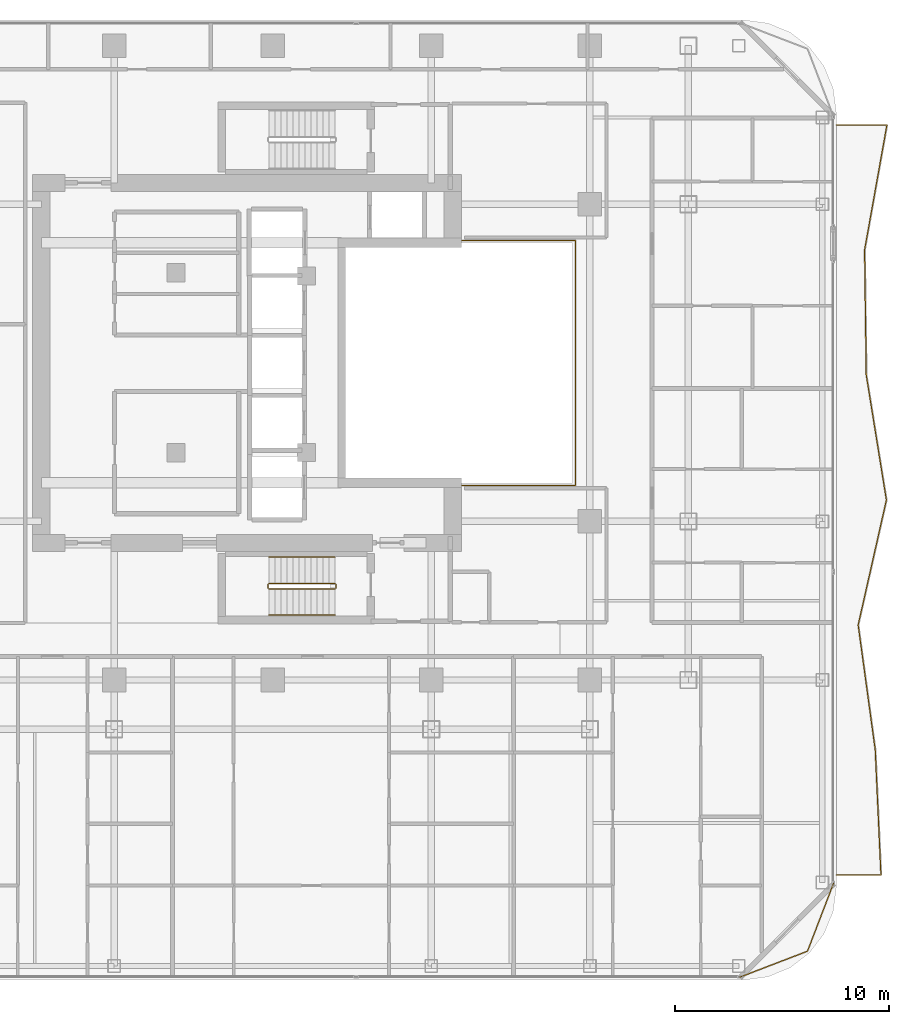
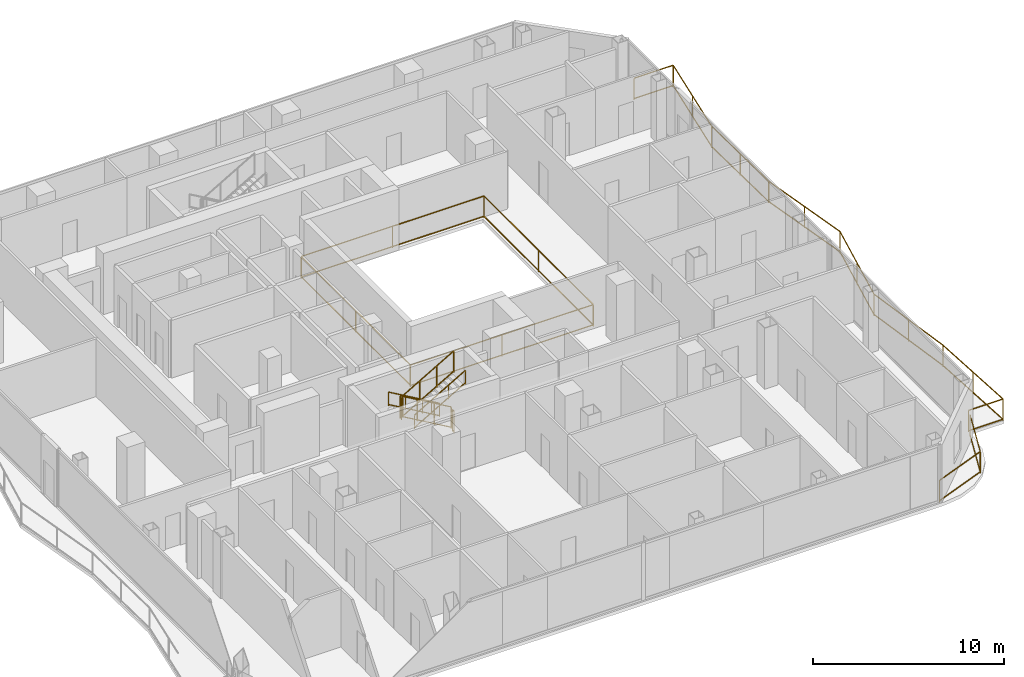
# One storey, part 26 of 27: 9 railings.
"""IFC4 building model written with IfcOpenShell, lengths in metres."""

from ifc_helpers import new_model, si_unit, direction, frame, origin, origin_2d, place, context, subcontext, project, spatial, rectangle, extrude, material, type_object, element, save


model = new_model("IFC4")

# Units and contexts
model_context = context("Model", 3, precision=1e-05, world=origin(), true_north=direction((0.0, 1.0)))
body_context = subcontext(model_context, "Body", "Model", "MODEL_VIEW")
ifc_project = project(units=[si_unit("LENGTHUNIT", "METRE"), si_unit("AREAUNIT", "SQUARE_METRE"), si_unit("VOLUMEUNIT", "CUBIC_METRE"), si_unit("PLANEANGLEUNIT", "RADIAN"), si_unit("MASSUNIT", "GRAM", prefix="KILO")], contexts=[model_context])

# Site, building, storey
site_placement = place(None, origin())
site = spatial("IfcSite", under=ifc_project, at=site_placement, CompositionType="ELEMENT")
building_placement = place(site_placement, origin())
building = spatial("IfcBuilding", under=site, at=building_placement, Name="Khorvyn Point Tower", CompositionType="ELEMENT")
storey_placement = place(building_placement, frame((0.0, 0.0, 227.39990234375)))
storey = spatial("IfcBuildingStorey", under=building, at=storey_placement, Name="L56", CompositionType="ELEMENT", Elevation=227.39990234375)

# Railings
ifc_material_1 = material(Name="Stainless steel 1.4401 and laminated glass", Category="steel")
railing_type_1 = type_object("IfcRailingType", Name="Crystal Atrium Smoke-Rated Perimeter Guardrail 1400", PredefinedType="GUARDRAIL", material=ifc_material_1)
railing_1_placement = place(storey_placement, frame((3.080078125, -5.719970703125, 0.0)))
element("IfcRailing", 1, at=railing_1_placement, inside=storey, type_object=railing_type_1, Name="L56 Crystal Atrium Perimeter Guardrail", PredefinedType="GUARDRAIL", context=body_context, shape_type="SweptSolid", body=[
    extrude(rectangle(XDim=0.048095703125, YDim=0.048095703125, at=origin_2d()), frame((0.0, 0.0, 1.3759765625), z_axis=(1.0, 0.0, 0.0), x_axis=(0.0, 1.0, 0.0)), (0.0, 0.0, 1.0), 11.0400390625),
    extrude(rectangle(XDim=0.048095703125, YDim=0.048095703125, at=origin_2d()), frame((0.0, 0.0, 0.080078125), z_axis=(1.0, 0.0, 0.0), x_axis=(0.0, 1.0, 0.0)), (0.0, 0.0, 1.0), 11.0400390625),
    extrude(rectangle(XDim=0.048095703125, YDim=0.048095703125, at=origin_2d()), frame((11.0400390625, 0.0, 1.3759765625), z_axis=(0.0, 1.0, 0.0), x_axis=(-1.0, 0.0, 0.0)), (0.0, 0.0, 1.0), 11.43994140625),
    extrude(rectangle(XDim=0.048095703125, YDim=0.048095703125, at=origin_2d()), frame((11.0400390625, 0.0, 0.080078125), z_axis=(0.0, 1.0, 0.0), x_axis=(-1.0, 0.0, 0.0)), (0.0, 0.0, 1.0), 11.43994140625),
    extrude(rectangle(XDim=0.048095703125, YDim=0.048095703125, at=origin_2d()), frame((11.0400390625, 11.43994140625, 1.3759765625), z_axis=(-1.0, 0.0, 0.0), x_axis=(0.0, -1.0, 0.0)), (0.0, 0.0, 1.0), 11.0400390625),
    extrude(rectangle(XDim=0.048095703125, YDim=0.048095703125, at=origin_2d()), frame((11.0400390625, 11.43994140625, 0.080078125), z_axis=(-1.0, 0.0, 0.0), x_axis=(0.0, -1.0, 0.0)), (0.0, 0.0, 1.0), 11.0400390625),
    extrude(rectangle(XDim=0.048095703125, YDim=0.048095703125, at=origin_2d()), frame((0.0, 11.43994140625, 1.3759765625), z_axis=(0.0, -1.0, 0.0), x_axis=(1.0, 0.0, 0.0)), (0.0, 0.0, 1.0), 11.409912109375),
    extrude(rectangle(XDim=0.048095703125, YDim=0.048095703125, at=origin_2d()), frame((0.0, 11.43994140625, 0.080078125), z_axis=(0.0, -1.0, 0.0), x_axis=(1.0, 0.0, 0.0)), (0.0, 0.0, 1.0), 11.409912109375),
    extrude(rectangle(XDim=0.0419921875, YDim=0.0419921875, at=origin_2d()), origin(), (0.0, 0.0, 1.0), 1.351806640625),
    extrude(rectangle(XDim=0.0419921875, YDim=0.0419921875, at=origin_2d()), frame((5.52001953125, 0.0, 0.0)), (0.0, 0.0, 1.0), 1.351806640625),
    extrude(rectangle(XDim=0.0419921875, YDim=0.0419921875, at=origin_2d()), frame((11.0400390625, 0.0, 0.0)), (0.0, 0.0, 1.0), 1.351806640625),
    extrude(rectangle(XDim=0.0419921875, YDim=0.0419921875, at=origin_2d()), frame((11.0400390625, 5.719970703125, 0.0)), (0.0, 0.0, 1.0), 1.351806640625),
    extrude(rectangle(XDim=0.0419921875, YDim=0.0419921875, at=origin_2d()), frame((11.0400390625, 11.43994140625, 0.0)), (0.0, 0.0, 1.0), 1.351806640625),
    extrude(rectangle(XDim=0.0419921875, YDim=0.0419921875, at=origin_2d()), frame((5.52001953125, 11.43994140625, 0.0)), (0.0, 0.0, 1.0), 1.351806640625),
    extrude(rectangle(XDim=0.0419921875, YDim=0.0419921875, at=origin_2d()), frame((0.0, 11.43994140625, 0.0)), (0.0, 0.0, 1.0), 1.351806640625),
    extrude(rectangle(XDim=0.0419921875, YDim=0.0419921875, at=origin_2d()), frame((0.0, 5.73486328125, 0.0)), (0.0, 0.0, 1.0), 1.351806640625),
    extrude(rectangle(XDim=0.0419921875, YDim=0.0419921875, at=origin_2d()), frame((0.0, 0.030029296875, 0.0)), (0.0, 0.0, 1.0), 1.351806640625),
])
ifc_material_2 = material(Name="Anodised aluminium 6063-T6 and laminated safety glass", Category="aluminium")
railing_type_2 = type_object("IfcRailingType", Name="Laminated Glass and Aluminium Balcony Guardrail 1400", PredefinedType="BALUSTRADE", material=ifc_material_2)
railing_2_placement = place(storey_placement, frame((21.78125, -28.67431640625, 0.0)))
element("IfcRailing", 2, at=railing_2_placement, inside=storey, type_object=railing_type_2, Name="L56 Rounded Corner Edge Guardrail SE", PredefinedType="BALUSTRADE", context=body_context, shape_type="SweptSolid", body=[
    extrude(rectangle(XDim=0.048095703125, YDim=0.048095703125, at=origin_2d()), frame((0.0, 0.0, 1.3759765625), z_axis=(0.933589651443, 0.358343916815, 0.0), x_axis=(-0.358343916815, 0.933589651443, 0.0)), (0.0, 0.0, 1.0), 3.400390625),
    extrude(rectangle(XDim=0.048095703125, YDim=0.048095703125, at=origin_2d()), frame((0.0, 0.0, 0.080078125), z_axis=(0.933589651443, 0.358343916815, 0.0), x_axis=(-0.358343916815, 0.933589651443, 0.0)), (0.0, 0.0, 1.0), 3.400390625),
    extrude(rectangle(XDim=0.048095703125, YDim=0.048095703125, at=origin_2d()), frame((3.174560546875, 1.218505859375, 1.3759765625), z_axis=(0.358343916815, 0.933589651443, 0.0), x_axis=(-0.933589651443, 0.358343916815, 0.0)), (0.0, 0.0, 1.0), 3.400390625),
    extrude(rectangle(XDim=0.048095703125, YDim=0.048095703125, at=origin_2d()), frame((3.174560546875, 1.218505859375, 0.080078125), z_axis=(0.358343916815, 0.933589651443, 0.0), x_axis=(-0.933589651443, 0.358343916815, 0.0)), (0.0, 0.0, 1.0), 3.400390625),
    extrude(rectangle(XDim=0.0419921875, YDim=0.0419921875, at=origin_2d()), origin(), (0.0, 0.0, 1.0), 1.351806640625),
    extrude(rectangle(XDim=0.0419921875, YDim=0.0419921875, at=origin_2d()), frame((3.174560546875, 1.218505859375, 0.0)), (0.0, 0.0, 1.0), 1.351806640625),
    extrude(rectangle(XDim=0.0419921875, YDim=0.0419921875, at=origin_2d()), frame((4.39306640625, 4.39306640625, 0.0)), (0.0, 0.0, 1.0), 1.351806640625),
])
railing_3_placement = place(storey_placement, frame((26.300048828125, -23.89990234375, 0.0)))
element("IfcRailing", 3, at=railing_3_placement, inside=storey, type_object=railing_type_2, Name="L56 East Balcony Guardrail", PredefinedType="BALUSTRADE", context=body_context, shape_type="SweptSolid", body=[
    extrude(rectangle(XDim=0.048095703125, YDim=0.048095703125, at=origin_2d()), frame((0.0, 0.0, 1.3759765625), z_axis=(1.0, 0.0, 0.0), x_axis=(0.0, 1.0, 0.0)), (0.0, 0.0, 1.0), 2.08349609375),
    extrude(rectangle(XDim=0.048095703125, YDim=0.048095703125, at=origin_2d()), frame((0.0, 0.0, 0.080078125), z_axis=(1.0, 0.0, 0.0), x_axis=(0.0, 1.0, 0.0)), (0.0, 0.0, 1.0), 2.08349609375),
    extrude(rectangle(XDim=0.048095703125, YDim=0.048095703125, at=origin_2d()), frame((2.08349609375, 0.0, 1.3759765625), z_axis=(-0.045572658063, 0.998961026686, 0.0), x_axis=(-0.998961026686, -0.045572658063, 0.0)), (0.0, 0.0, 1.0), 5.83935546875),
    extrude(rectangle(XDim=0.048095703125, YDim=0.048095703125, at=origin_2d()), frame((2.08349609375, 0.0, 0.080078125), z_axis=(-0.045572658063, 0.998961026686, 0.0), x_axis=(-0.998961026686, -0.045572658063, 0.0)), (0.0, 0.0, 1.0), 5.83935546875),
    extrude(rectangle(XDim=0.048095703125, YDim=0.048095703125, at=origin_2d()), frame((1.8173828125, 5.833251953125, 1.3759765625), z_axis=(-0.13539262389, 0.990792025299, 0.0), x_axis=(-0.990792025299, -0.13539262389, 0.0)), (0.0, 0.0, 1.0), 5.887451171875),
    extrude(rectangle(XDim=0.048095703125, YDim=0.048095703125, at=origin_2d()), frame((1.8173828125, 5.833251953125, 0.080078125), z_axis=(-0.13539262389, 0.990792025299, 0.0), x_axis=(-0.990792025299, -0.13539262389, 0.0)), (0.0, 0.0, 1.0), 5.887451171875),
    extrude(rectangle(XDim=0.048095703125, YDim=0.048095703125, at=origin_2d()), frame((1.020263671875, 11.66650390625, 1.3759765625), z_axis=(0.220283425331, 0.975435908978, 0.0), x_axis=(-0.975435908978, 0.220283425331, 0.0)), (0.0, 0.0, 1.0), 5.98046875),
    extrude(rectangle(XDim=0.048095703125, YDim=0.048095703125, at=origin_2d()), frame((1.020263671875, 11.66650390625, 0.080078125), z_axis=(0.220283425331, 0.975435908978, 0.0), x_axis=(-0.975435908978, 0.220283425331, 0.0)), (0.0, 0.0, 1.0), 5.98046875),
    extrude(rectangle(XDim=0.048095703125, YDim=0.048095703125, at=origin_2d()), frame((2.337646484375, 17.5, 1.3759765625), z_axis=(-0.159083038663, 0.987265205915, 0.0), x_axis=(-0.987265205915, -0.159083038663, 0.0)), (0.0, 0.0, 1.0), 5.908447265625),
    extrude(rectangle(XDim=0.048095703125, YDim=0.048095703125, at=origin_2d()), frame((2.337646484375, 17.5, 0.080078125), z_axis=(-0.159083038663, 0.987265205915, 0.0), x_axis=(-0.987265205915, -0.159083038663, 0.0)), (0.0, 0.0, 1.0), 5.908447265625),
    extrude(rectangle(XDim=0.048095703125, YDim=0.048095703125, at=origin_2d()), frame((1.397705078125, 23.333251953125, 1.3759765625), z_axis=(-0.013350000931, 0.999910884767, 0.0), x_axis=(-0.999910884767, -0.013350000931, 0.0)), (0.0, 0.0, 1.0), 5.833740234375),
    extrude(rectangle(XDim=0.048095703125, YDim=0.048095703125, at=origin_2d()), frame((1.397705078125, 23.333251953125, 0.080078125), z_axis=(-0.013350000931, 0.999910884767, 0.0), x_axis=(-0.999910884767, -0.013350000931, 0.0)), (0.0, 0.0, 1.0), 5.833740234375),
    extrude(rectangle(XDim=0.048095703125, YDim=0.048095703125, at=origin_2d()), frame((1.31982421875, 29.16650390625, 1.3759765625), z_axis=(0.175958892926, 0.984397515235, 0.0), x_axis=(-0.984397515235, 0.175958892926, 0.0)), (0.0, 0.0, 1.0), 5.926025390625),
    extrude(rectangle(XDim=0.048095703125, YDim=0.048095703125, at=origin_2d()), frame((1.31982421875, 29.16650390625, 0.080078125), z_axis=(0.175958892926, 0.984397515235, 0.0), x_axis=(-0.984397515235, 0.175958892926, 0.0)), (0.0, 0.0, 1.0), 5.926025390625),
    extrude(rectangle(XDim=0.048095703125, YDim=0.048095703125, at=origin_2d()), frame((2.362548828125, 35.0, 1.3759765625), z_axis=(-1.0, 0.0, 0.0), x_axis=(0.0, -1.0, 0.0)), (0.0, 0.0, 1.0), 2.362548828125),
    extrude(rectangle(XDim=0.048095703125, YDim=0.048095703125, at=origin_2d()), frame((2.362548828125, 35.0, 0.080078125), z_axis=(-1.0, 0.0, 0.0), x_axis=(0.0, -1.0, 0.0)), (0.0, 0.0, 1.0), 2.362548828125),
    extrude(rectangle(XDim=0.0419921875, YDim=0.0419921875, at=origin_2d()), origin(), (0.0, 0.0, 1.0), 1.351806640625),
    extrude(rectangle(XDim=0.0419921875, YDim=0.0419921875, at=origin_2d()), frame((2.08349609375, 0.0, 0.0)), (0.0, 0.0, 1.0), 1.351806640625),
    extrude(rectangle(XDim=0.0419921875, YDim=0.0419921875, at=origin_2d()), frame((1.950439453125, 2.91650390625, 0.0)), (0.0, 0.0, 1.0), 1.351806640625),
    extrude(rectangle(XDim=0.0419921875, YDim=0.0419921875, at=origin_2d()), frame((1.8173828125, 5.833251953125, 0.0)), (0.0, 0.0, 1.0), 1.351806640625),
    extrude(rectangle(XDim=0.0419921875, YDim=0.0419921875, at=origin_2d()), frame((1.4189453125, 8.75, 0.0)), (0.0, 0.0, 1.0), 1.351806640625),
    extrude(rectangle(XDim=0.0419921875, YDim=0.0419921875, at=origin_2d()), frame((1.020263671875, 11.66650390625, 0.0)), (0.0, 0.0, 1.0), 1.351806640625),
    extrude(rectangle(XDim=0.0419921875, YDim=0.0419921875, at=origin_2d()), frame((1.678955078125, 14.583251953125, 0.0)), (0.0, 0.0, 1.0), 1.351806640625),
    extrude(rectangle(XDim=0.0419921875, YDim=0.0419921875, at=origin_2d()), frame((2.337646484375, 17.5, 0.0)), (0.0, 0.0, 1.0), 1.351806640625),
    extrude(rectangle(XDim=0.0419921875, YDim=0.0419921875, at=origin_2d()), frame((1.86767578125, 20.41650390625, 0.0)), (0.0, 0.0, 1.0), 1.351806640625),
    extrude(rectangle(XDim=0.0419921875, YDim=0.0419921875, at=origin_2d()), frame((1.397705078125, 23.333251953125, 0.0)), (0.0, 0.0, 1.0), 1.351806640625),
    extrude(rectangle(XDim=0.0419921875, YDim=0.0419921875, at=origin_2d()), frame((1.35888671875, 26.25, 0.0)), (0.0, 0.0, 1.0), 1.351806640625),
    extrude(rectangle(XDim=0.0419921875, YDim=0.0419921875, at=origin_2d()), frame((1.31982421875, 29.16650390625, 0.0)), (0.0, 0.0, 1.0), 1.351806640625),
    extrude(rectangle(XDim=0.0419921875, YDim=0.0419921875, at=origin_2d()), frame((1.84130859375, 32.083251953125, 0.0)), (0.0, 0.0, 1.0), 1.351806640625),
    extrude(rectangle(XDim=0.0419921875, YDim=0.0419921875, at=origin_2d()), frame((2.362548828125, 35.0, 0.0)), (0.0, 0.0, 1.0), 1.351806640625),
    extrude(rectangle(XDim=0.0419921875, YDim=0.0419921875, at=origin_2d()), frame((0.0, 35.0, 0.0)), (0.0, 0.0, 1.0), 1.351806640625),
])
ifc_material_3 = material(Name="Stainless steel 1.4301", Category="steel")
railing_type_3 = type_object("IfcRailingType", Name="Stainless Steel 304 Stair Pitch Handrail 900", PredefinedType="HANDRAIL", material=ifc_material_3)
railing_4_placement = place(storey_placement, frame((2.89990234375, -9.070068359375, 0.16259765625)))
element("IfcRailing", 4, at=railing_4_placement, inside=storey, type_object=railing_type_3, Name="L56 ST-01 stair handrail 1", PredefinedType="HANDRAIL", context=body_context, shape_type="SweptSolid", body=[
    extrude(rectangle(XDim=0.048095703125, YDim=0.048095703125, at=origin_2d()), frame((0.0, 0.0, 0.8759765625), z_axis=(-0.864873446163, 0.0, 0.501989962173), x_axis=(0.0, -1.0, 0.0)), (0.0, 0.0, 1.0), 3.56103515625),
    extrude(rectangle(XDim=0.048095703125, YDim=0.048095703125, at=origin_2d()), frame((0.0, 0.0, 0.080078125), z_axis=(-0.864873446163, 0.0, 0.501989962173), x_axis=(0.0, -1.0, 0.0)), (0.0, 0.0, 1.0), 3.56103515625),
    extrude(rectangle(XDim=0.0419921875, YDim=0.0419921875, at=origin_2d()), origin(), (0.0, 0.0, 1.0), 0.851806640625),
    extrude(rectangle(XDim=0.0419921875, YDim=0.0419921875, at=origin_2d()), frame((-1.026611328125, 0.0, 0.595947265625)), (0.0, 0.0, 1.0), 0.851806640625),
    extrude(rectangle(XDim=0.0419921875, YDim=0.0419921875, at=origin_2d()), frame((-2.05322265625, 0.0, 1.191650390625)), (0.0, 0.0, 1.0), 0.851806640625),
    extrude(rectangle(XDim=0.0419921875, YDim=0.0419921875, at=origin_2d()), frame((-3.079833984375, 0.0, 1.78759765625)), (0.0, 0.0, 1.0), 0.851806640625),
])
railing_5_placement = place(storey_placement, frame((-0.179931640625, -11.77001953125, 2.112548828125)))
element("IfcRailing", 5, at=railing_5_placement, inside=storey, type_object=railing_type_3, Name="L56 ST-01 stair handrail 2", PredefinedType="HANDRAIL", context=body_context, shape_type="SweptSolid", body=[
    extrude(rectangle(XDim=0.048095703125, YDim=0.048095703125, at=origin_2d()), frame((0.0, 0.0, 0.8759765625), z_axis=(0.864873446163, 0.0, 0.501989962173), x_axis=(0.0, 1.0, 0.0)), (0.0, 0.0, 1.0), 3.56103515625),
    extrude(rectangle(XDim=0.048095703125, YDim=0.048095703125, at=origin_2d()), frame((0.0, 0.0, 0.080078125), z_axis=(0.864873446163, 0.0, 0.501989962173), x_axis=(0.0, 1.0, 0.0)), (0.0, 0.0, 1.0), 3.56103515625),
    extrude(rectangle(XDim=0.0419921875, YDim=0.0419921875, at=origin_2d()), origin(), (0.0, 0.0, 1.0), 0.851806640625),
    extrude(rectangle(XDim=0.0419921875, YDim=0.0419921875, at=origin_2d()), frame((1.026611328125, 0.0, 0.595947265625)), (0.0, 0.0, 1.0), 0.851806640625),
    extrude(rectangle(XDim=0.0419921875, YDim=0.0419921875, at=origin_2d()), frame((2.05322265625, 0.0, 1.191650390625)), (0.0, 0.0, 1.0), 0.851806640625),
    extrude(rectangle(XDim=0.0419921875, YDim=0.0419921875, at=origin_2d()), frame((3.079833984375, 0.0, 1.78759765625)), (0.0, 0.0, 1.0), 0.851806640625),
])
railing_type_4 = type_object("IfcRailingType", Name="Stainless Steel 304 Stair Well Guardrail 1400", PredefinedType="GUARDRAIL", material=ifc_material_3)
railing_6_placement = place(storey_placement, frame((2.89990234375, -10.2900390625, 0.16259765625)))
element("IfcRailing", 6, at=railing_6_placement, inside=storey, type_object=railing_type_4, Name="L56 ST-01 stair guard 1", PredefinedType="GUARDRAIL", context=body_context, shape_type="SweptSolid", body=[
    extrude(rectangle(XDim=0.048095703125, YDim=0.048095703125, at=origin_2d()), frame((0.0, 0.0, 1.3759765625), z_axis=(-0.864873446163, 0.0, 0.501989962173), x_axis=(0.0, -1.0, 0.0)), (0.0, 0.0, 1.0), 3.56103515625),
    extrude(rectangle(XDim=0.048095703125, YDim=0.048095703125, at=origin_2d()), frame((0.0, 0.0, 0.080078125), z_axis=(-0.864873446163, 0.0, 0.501989962173), x_axis=(0.0, -1.0, 0.0)), (0.0, 0.0, 1.0), 3.56103515625),
    extrude(rectangle(XDim=0.0419921875, YDim=0.0419921875, at=origin_2d()), origin(), (0.0, 0.0, 1.0), 1.351806640625),
    extrude(rectangle(XDim=0.0419921875, YDim=0.0419921875, at=origin_2d()), frame((-1.026611328125, 0.0, 0.595947265625)), (0.0, 0.0, 1.0), 1.351806640625),
    extrude(rectangle(XDim=0.0419921875, YDim=0.0419921875, at=origin_2d()), frame((-2.05322265625, 0.0, 1.191650390625)), (0.0, 0.0, 1.0), 1.351806640625),
    extrude(rectangle(XDim=0.0419921875, YDim=0.0419921875, at=origin_2d()), frame((-3.079833984375, 0.0, 1.78759765625)), (0.0, 0.0, 1.0), 1.351806640625),
])
railing_7_placement = place(storey_placement, frame((-0.22998046875, -10.340087890625, 1.9501953125)))
element("IfcRailing", 7, at=railing_7_placement, inside=storey, type_object=railing_type_4, Name="L56 ST-01 stair guard 2", PredefinedType="GUARDRAIL", context=body_context, shape_type="SweptSolid", body=[
    extrude(rectangle(XDim=0.048095703125, YDim=0.048095703125, at=origin_2d()), frame((0.0, 0.0, 1.3759765625), z_axis=(0.0, -1.0, 0.0), x_axis=(1.0, 0.0, 0.0)), (0.0, 0.0, 1.0), 0.159912109375),
    extrude(rectangle(XDim=0.048095703125, YDim=0.048095703125, at=origin_2d()), frame((0.0, 0.0, 0.080078125), z_axis=(0.0, -1.0, 0.0), x_axis=(1.0, 0.0, 0.0)), (0.0, 0.0, 1.0), 0.159912109375),
    extrude(rectangle(XDim=0.0419921875, YDim=0.0419921875, at=origin_2d()), origin(), (0.0, 0.0, 1.0), 1.351806640625),
    extrude(rectangle(XDim=0.0419921875, YDim=0.0419921875, at=origin_2d()), frame((0.0, -0.159912109375, 0.0)), (0.0, 0.0, 1.0), 1.351806640625),
])
railing_8_placement = place(storey_placement, frame((-0.179931640625, -10.550048828125, 2.112548828125)))
element("IfcRailing", 8, at=railing_8_placement, inside=storey, type_object=railing_type_4, Name="L56 ST-01 stair guard 3", PredefinedType="GUARDRAIL", context=body_context, shape_type="SweptSolid", body=[
    extrude(rectangle(XDim=0.048095703125, YDim=0.048095703125, at=origin_2d()), frame((0.0, 0.0, 1.3759765625), z_axis=(0.864873446163, 0.0, 0.501989962173), x_axis=(0.0, 1.0, 0.0)), (0.0, 0.0, 1.0), 3.56103515625),
    extrude(rectangle(XDim=0.048095703125, YDim=0.048095703125, at=origin_2d()), frame((0.0, 0.0, 0.080078125), z_axis=(0.864873446163, 0.0, 0.501989962173), x_axis=(0.0, 1.0, 0.0)), (0.0, 0.0, 1.0), 3.56103515625),
    extrude(rectangle(XDim=0.0419921875, YDim=0.0419921875, at=origin_2d()), origin(), (0.0, 0.0, 1.0), 1.351806640625),
    extrude(rectangle(XDim=0.0419921875, YDim=0.0419921875, at=origin_2d()), frame((1.026611328125, 0.0, 0.595947265625)), (0.0, 0.0, 1.0), 1.351806640625),
    extrude(rectangle(XDim=0.0419921875, YDim=0.0419921875, at=origin_2d()), frame((2.05322265625, 0.0, 1.191650390625)), (0.0, 0.0, 1.0), 1.351806640625),
    extrude(rectangle(XDim=0.0419921875, YDim=0.0419921875, at=origin_2d()), frame((3.079833984375, 0.0, 1.78759765625)), (0.0, 0.0, 1.0), 1.351806640625),
])
railing_9_placement = place(storey_placement, frame((2.949951171875, -10.340087890625, 0.0)))
element("IfcRailing", 9, at=railing_9_placement, inside=storey, type_object=railing_type_4, Name="L56 ST-01 stair guard 4", PredefinedType="GUARDRAIL", context=body_context, shape_type="SweptSolid", body=[
    extrude(rectangle(XDim=0.048095703125, YDim=0.048095703125, at=origin_2d()), frame((0.0, 0.0, 1.3759765625), z_axis=(0.0, -1.0, 0.0), x_axis=(1.0, 0.0, 0.0)), (0.0, 0.0, 1.0), 0.159912109375),
    extrude(rectangle(XDim=0.048095703125, YDim=0.048095703125, at=origin_2d()), frame((0.0, 0.0, 0.080078125), z_axis=(0.0, -1.0, 0.0), x_axis=(1.0, 0.0, 0.0)), (0.0, 0.0, 1.0), 0.159912109375),
    extrude(rectangle(XDim=0.0419921875, YDim=0.0419921875, at=origin_2d()), origin(), (0.0, 0.0, 1.0), 1.351806640625),
    extrude(rectangle(XDim=0.0419921875, YDim=0.0419921875, at=origin_2d()), frame((0.0, -0.159912109375, 0.0)), (0.0, 0.0, 1.0), 1.351806640625),
])

save(model, "model.ifc")
